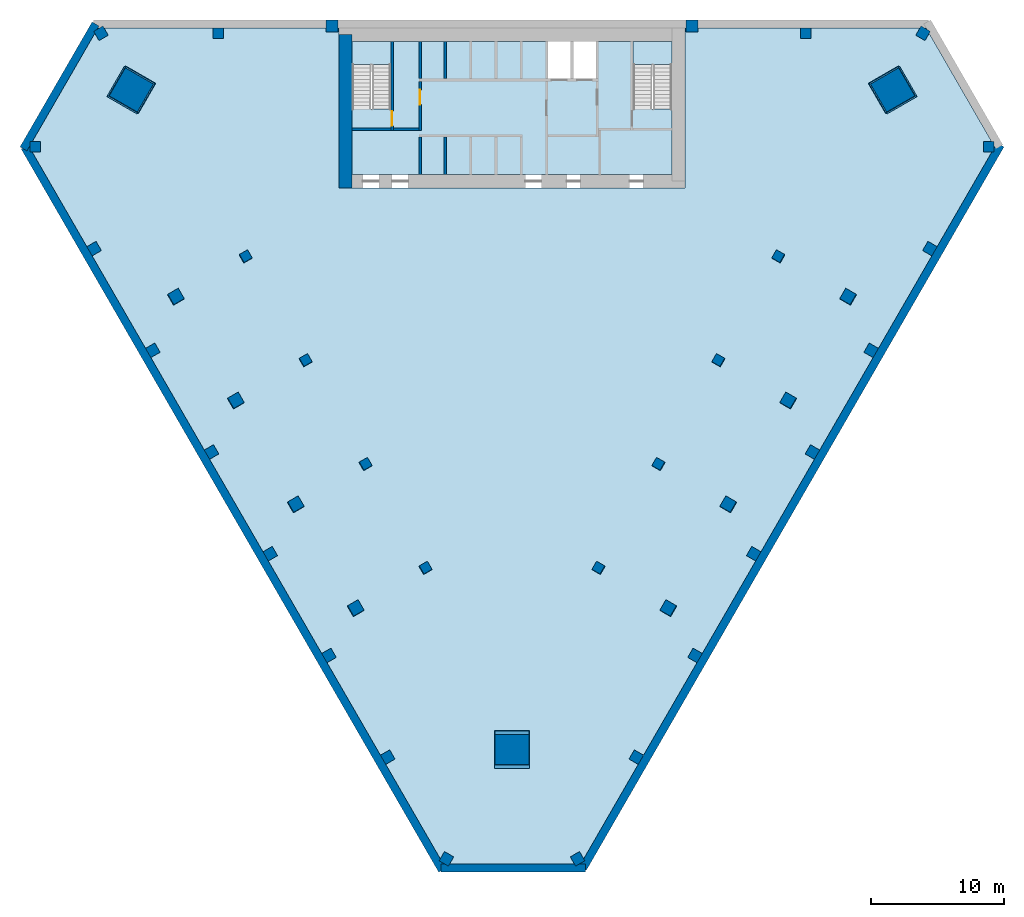
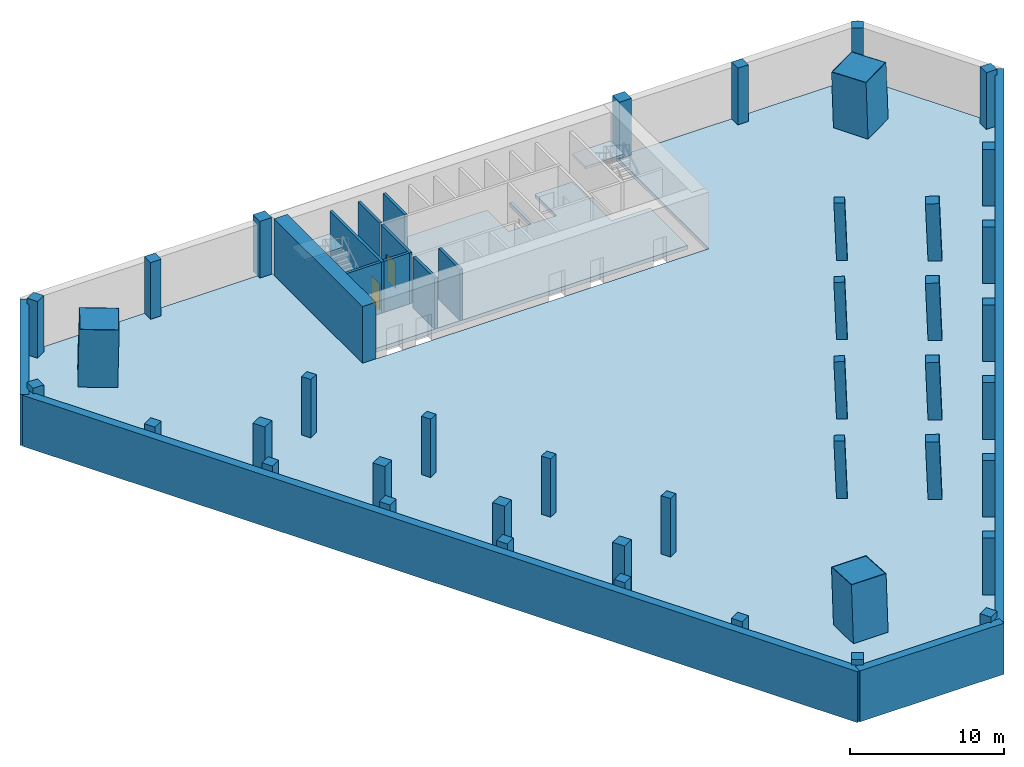
# One storey, part 1 of 3: 41 columns, 13 walls, 4 slabs, 3 members, 2 doors, 2 openings, 2 elements without a shape of their own.
"""IFC4 building model written with IfcOpenShell, lengths in metres."""

import ifcopenshell
import ifcopenshell.guid

model = None  # the IFC model being written
_history = None  # IfcOwnerHistory: only IFC2X3 demands one
_inside = {}  # id of a spatial element -> (the spatial element, [elements in it])
_under = {}  # id of a project, library or spatial element -> (it, [spatial elements below it])
_declared = {}  # id of a project -> (the project, [libraries it declares])
_typed = {}  # id of a type object -> (the type object, [elements of that type])
_made_of = {}  # id of a material, layer set ... -> (it, [elements and type objects made of it])


def new_model(schema):
    """Start an empty IFC model of exactly this schema.

    Asked for "IFC4X3", IfcOpenShell would pick the latest addendum, in which some entities
    have other attributes; the version numbers below select the first issue.
    IFC2X3 requires an IfcOwnerHistory on every rooted entity: one is made here for all.
    """
    global model, _history
    if schema == "IFC4X3":
        model = ifcopenshell.file(schema_version=(4, 3, 0, 0))
    else:
        model = ifcopenshell.file(schema=schema)
    _inside.clear()
    _under.clear()
    _declared.clear()
    _typed.clear()
    _made_of.clear()
    _history = None
    if model.schema == "IFC2X3":
        org = make("IfcOrganization", Name="unknown")
        user = make(
            "IfcPersonAndOrganization",
            ThePerson=make("IfcPerson", FamilyName="unknown"),
            TheOrganization=org,
        )
        app = make(
            "IfcApplication",
            ApplicationDeveloper=org,
            Version="unknown",
            ApplicationFullName="unknown",
            ApplicationIdentifier="unknown",
        )
        _history = make(
            "IfcOwnerHistory",
            OwningUser=user,
            OwningApplication=app,
            ChangeAction="ADDED",
            CreationDate=0,
        )
    return model


def make(cls, **values):
    """One entity of the class cls with the attributes given. An attribute that is None is left unset."""
    return model.create_entity(
        cls, **{name: value for name, value in values.items() if value is not None}
    )


def rooted(cls, **values):
    """An entity with a GlobalId (a new one), such as an element, a storey or a relation."""
    return make(cls, GlobalId=ifcopenshell.guid.new(), OwnerHistory=_history, **values)


def si_unit(unit_type, name, prefix=None):
    """IfcSIUnit, for example si_unit("LENGTHUNIT", "METRE", prefix="MILLI")."""
    return make("IfcSIUnit", UnitType=unit_type, Prefix=prefix, Name=name)


def assignment(units):
    """IfcUnitAssignment: the units of a project."""
    return None if units is None else make("IfcUnitAssignment", Units=units)


def point(xyz):
    """IfcCartesianPoint."""
    return None if xyz is None else make("IfcCartesianPoint", Coordinates=xyz)


def direction(xyz):
    """IfcDirection."""
    return None if xyz is None else make("IfcDirection", DirectionRatios=xyz)


def frame(location, z_axis=None, x_axis=None):
    """IfcAxis2Placement3D, a coordinate frame: its origin and axes. An axis left out is left unset."""
    return make(
        "IfcAxis2Placement3D",
        Location=point(location),
        Axis=direction(z_axis),
        RefDirection=direction(x_axis),
    )


def frame_2d(location, x_axis=None):
    """IfcAxis2Placement2D, a coordinate frame in the plane: its origin and x axis."""
    return make(
        "IfcAxis2Placement2D", Location=point(location), RefDirection=direction(x_axis)
    )


def origin():
    """The frame at (0, 0, 0) with its axes left unset."""
    return frame((0.0, 0.0, 0.0))


def origin_2d():
    """The frame at (0, 0) in the plane with its x axis left unset."""
    return frame_2d((0.0, 0.0))


def place(relative_to, where):
    """IfcLocalPlacement: puts the frame where relative to a parent placement (None: the world)."""
    return make(
        "IfcLocalPlacement", PlacementRelTo=relative_to, RelativePlacement=where
    )


def context(
    kind, dimensions, precision=None, world=None, true_north=None, identifier=None
):
    """IfcGeometricRepresentationContext, for example the 3D "Model" context."""
    return make(
        "IfcGeometricRepresentationContext",
        ContextIdentifier=identifier,
        ContextType=kind,
        CoordinateSpaceDimension=dimensions,
        Precision=precision,
        WorldCoordinateSystem=world,
        TrueNorth=true_north,
    )


def subcontext(parent, identifier, kind, view, scale=None):
    """IfcGeometricRepresentationSubContext, for example "Body" below "Model"."""
    return make(
        "IfcGeometricRepresentationSubContext",
        ContextIdentifier=identifier,
        ContextType=kind,
        ParentContext=parent,
        TargetScale=scale,
        TargetView=view,
    )


def project(units=None, contexts=None):
    """IfcProject with its units and contexts."""
    return rooted(
        "IfcProject",
        Name="project",
        RepresentationContexts=contexts,
        UnitsInContext=assignment(units),
    )


def spatial(cls, under=None, at=None, **own):
    """A site, building, storey or space (cls), placed at a placement, below another one or the project."""
    s = rooted(cls, ObjectPlacement=at, **own)
    if under is not None:
        _under.setdefault(under.id(), (under, []))[1].append(s)
    return s


def polyline(points):
    """IfcPolyline through the points."""
    return make("IfcPolyline", Points=[point(p) for p in points])


def profile(cls, at=None, kind="AREA", **sizes):
    """A parametric profile (cls). Its sizes go by their IFC names, for example OverallWidth=200.0."""
    return make(cls, ProfileType=kind, Position=at, **sizes)


def rectangle(**sizes):
    """IfcRectangleProfileDef."""
    return profile("IfcRectangleProfileDef", **sizes)


def hollow_rectangle(**sizes):
    """IfcRectangleHollowProfileDef."""
    return profile("IfcRectangleHollowProfileDef", **sizes)


def outline(outer, holes=None, kind="AREA"):
    """IfcArbitraryClosedProfileDef: a profile drawn as a closed curve; with holes, ...WithVoids."""
    if holes is None:
        return make("IfcArbitraryClosedProfileDef", ProfileType=kind, OuterCurve=outer)
    return make(
        "IfcArbitraryProfileDefWithVoids",
        ProfileType=kind,
        OuterCurve=outer,
        InnerCurves=holes,
    )


def extrude(swept, where, along, depth):
    """IfcExtrudedAreaSolid: the profile swept, set in the frame where, extruded along a direction by depth."""
    return make(
        "IfcExtrudedAreaSolid",
        SweptArea=swept,
        Position=where,
        ExtrudedDirection=direction(along),
        Depth=depth,
    )


def shape(context_of_items, identifier, shape_type, items):
    """IfcShapeRepresentation: the items that make up one representation, for example the "Body"."""
    return make(
        "IfcShapeRepresentation",
        ContextOfItems=context_of_items,
        RepresentationIdentifier=identifier,
        RepresentationType=shape_type,
        Items=items,
    )


def material(Name=None, Category=None):
    """IfcMaterial."""
    return make("IfcMaterial", Name=Name, Category=Category)


def layer(
    of_material, thickness, ventilated=None, Name=None, Category=None, Priority=None
):
    """IfcMaterialLayer: one layer of a wall or slab, of a material (None: an air gap)."""
    return make(
        "IfcMaterialLayer",
        Material=of_material,
        LayerThickness=thickness,
        IsVentilated=ventilated,
        Name=Name,
        Category=Category,
        Priority=Priority,
    )


def layer_set(layers, Name=None):
    """IfcMaterialLayerSet."""
    return make("IfcMaterialLayerSet", MaterialLayers=layers, LayerSetName=Name)


def material_profile(
    of_material, cross_section, Name=None, Category=None, Priority=None
):
    """IfcMaterialProfile: a cross section and its material."""
    return make(
        "IfcMaterialProfile",
        Name=Name,
        Material=of_material,
        Profile=cross_section,
        Priority=Priority,
        Category=Category,
    )


def profile_set(profiles, Name=None, composite=None):
    """IfcMaterialProfileSet."""
    return make(
        "IfcMaterialProfileSet",
        Name=Name,
        MaterialProfiles=profiles,
        CompositeProfile=composite,
    )


def made_of(thing, what):
    """Note that an element or type object is made of a material, layer set ...; save() writes the relation."""
    if what is not None:
        _made_of.setdefault(what.id(), (what, []))[1].append(thing)
    return thing


def type_object(cls, material=None, **own):
    """A type object (cls), such as IfcWallType, which elements share."""
    return made_of(rooted(cls, **own), material)


def element(
    cls,
    number,
    at=None,
    inside=None,
    cuts=None,
    type_object=None,
    material=None,
    context=None,
    identifier="Body",
    shape_type=None,
    held_by="IfcProductDefinitionShape",
    body=None,
    shapes=None,
    **own,
):
    """One element of the class cls, such as IfcWall. Its Tag is "e" and its number.

    at: its placement. inside: the storey or other place that contains it. cuts: it is an
    opening in that element (IfcRelVoidsElement). A single representation is given by context,
    identifier, shape_type and body (its items); several are given by shapes. held_by: the class
    of the entity that holds the representations. save() writes the other relations.
    """
    e = rooted(cls, Tag="e%d" % number, ObjectPlacement=at, **own)
    if body is not None:
        shapes = [shape(context, identifier, shape_type, body)]
    if shapes is not None:
        e.Representation = make(held_by, Representations=shapes)
    if inside is not None:
        _inside.setdefault(inside.id(), (inside, []))[1].append(e)
    if cuts is not None:
        rooted(
            "IfcRelVoidsElement", RelatingBuildingElement=cuts, RelatedOpeningElement=e
        )
    if type_object is not None:
        _typed.setdefault(type_object.id(), (type_object, []))[1].append(e)
    return made_of(e, material)


def fill(opening, filler):
    """IfcRelFillsElement: the door or window that sits in an opening."""
    return rooted(
        "IfcRelFillsElement",
        RelatingOpeningElement=opening,
        RelatedBuildingElement=filler,
    )


def aggregate(whole, parts):
    """IfcRelAggregates: a whole, such as a stair, and the parts it consists of."""
    return rooted("IfcRelAggregates", RelatingObject=whole, RelatedObjects=parts)


def save(model, path):
    """Write the relations noted so far, then the file.

    IfcRelAggregates (storeys below a building ...), IfcRelContainedInSpatialStructure (elements
    in a storey), IfcRelDefinesByType, IfcRelAssociatesMaterial and IfcRelDeclares: one each for
    every whole, place, type object, material and project.
    """
    for whole, parts in _under.values():
        aggregate(whole, parts)
    for where, things in _inside.values():
        rooted(
            "IfcRelContainedInSpatialStructure",
            RelatedElements=things,
            RelatingStructure=where,
        )
    for kind, things in _typed.values():
        rooted("IfcRelDefinesByType", RelatedObjects=things, RelatingType=kind)
    for what, things in _made_of.values():
        rooted("IfcRelAssociatesMaterial", RelatedObjects=things, RelatingMaterial=what)
    for by, libraries in _declared.values():
        rooted("IfcRelDeclares", RelatingContext=by, RelatedDefinitions=libraries)
    model.write(path)


model = new_model("IFC4")

# Units and contexts
model_context = context("Model", 3, precision=1e-05, world=origin(), true_north=direction((0.0, 1.0)))
body_context = subcontext(model_context, "Body", "Model", "MODEL_VIEW")
ifc_project = project(units=[si_unit("LENGTHUNIT", "METRE"), si_unit("AREAUNIT", "SQUARE_METRE"), si_unit("VOLUMEUNIT", "CUBIC_METRE"), si_unit("PLANEANGLEUNIT", "RADIAN"), si_unit("MASSUNIT", "GRAM", prefix="KILO")], contexts=[model_context])

# Site, building, storey
site_placement = place(None, origin())
site = spatial("IfcSite", under=ifc_project, at=site_placement, CompositionType="ELEMENT")
building_placement = place(site_placement, origin())
building = spatial("IfcBuilding", under=site, at=building_placement, Name="Altiplano Prism Tower", CompositionType="ELEMENT")
storey_placement = place(building_placement, frame((0.0, 0.0, -4.5)))
storey = spatial("IfcBuildingStorey", under=building, at=storey_placement, Name="B1", CompositionType="ELEMENT", Elevation=-4.5)

# Columns
ifc_material_1 = material(Name="Concrete C60/75", Category="concrete")
ifc_material_profile_1 = material_profile(ifc_material_1, rectangle(XDim=0.699951171875, YDim=0.699951171875, at=origin_2d()), Name="Inner column 700")
ifc_profile_set_1 = profile_set([ifc_material_profile_1], Name="Concrete C60/75")
column_type_1 = type_object("IfcColumnType", Name="Inner column 700", PredefinedType="COLUMN", material=ifc_profile_set_1)
for number, where, z_axis, x_axis, name in (
    (1, (64.9921875, 87.228271484375, -0.021240234375), (0.022221996839, 0.038427794534, 0.999014257888), (-0.865945385026, -0.498658904861, 0.03844329272), "Inner column I11 B1"),
    (2, (69.4921875, 79.43408203125, -0.021240234375), (0.022221996839, 0.038427794534, 0.999014257888), (-0.865946623326, -0.498656758727, 0.038443237712), "Inner column I12 B1"),
    (3, (73.9921875, 71.639892578125, -0.021240234375), (0.022221996839, 0.038427794534, 0.999014257888), (-0.865945385026, -0.498658904861, 0.03844329272), "Inner column I13 B1"),
    (4, (78.4921875, 63.845458984375, -0.021240234375), (0.022221950523, 0.03848191432, 0.999012175694), (-0.865641089157, -0.499183835908, 0.038483798288), "Inner column I14 B1"),
    (5, (91.5078125, 63.845458984375, -0.021240234375), (-0.022221950523, 0.03848191432, 0.999012175694), (-0.50017166021, -0.865641172911, 0.022218687721), "Inner column I21 B1"),
    (6, (96.0078125, 71.639892578125, -0.021240234375), (-0.022221996839, 0.038427794534, 0.999014257888), (-0.499644646733, -0.865946072923, 0.022195174726), "Inner column I22 B1"),
    (7, (100.5078125, 79.43408203125, -0.021240234375), (-0.022221996839, 0.038427794534, 0.999014257888), (-0.4996425006, -0.86594730878, 0.022195270002), "Inner column I23 B1"),
    (8, (105.0078125, 87.228271484375, -0.021240234375), (-0.022221996839, 0.038427794534, 0.999014257888), (-0.499644646733, -0.865946072923, 0.022195174726), "Inner column I24 B1"),
):
    element("IfcColumn", number, at=place(storey_placement, frame(where, z_axis=z_axis, x_axis=x_axis)), inside=storey, type_object=column_type_1, Name=name, PredefinedType="COLUMN", context=body_context, shape_type="SweptSolid", body=[
        extrude(rectangle(XDim=0.699951171875, YDim=0.699951171875, at=origin_2d()), origin(), (0.0, 0.0, 1.0), 4.50439453125),
    ])
ifc_material_2 = material(Name="Concrete C70/85", Category="concrete")
ifc_material_profile_2 = material_profile(ifc_material_2, rectangle(XDim=2.52001953125, YDim=2.52001953125, at=origin_2d()), Name="Mega column infill 2600")
ifc_profile_set_2 = profile_set([ifc_material_profile_2], Name="Concrete C70/85")
column_type_2 = type_object("IfcColumnType", Name="Mega column infill 2600", PredefinedType="COLUMN", material=ifc_profile_set_2)
column_1_placement = place(storey_placement, frame((56.358154296875, 99.728271484375, 0.0), z_axis=(0.028361930921, 0.009273212596, 0.999554705057), x_axis=(-0.866199484876, 0.499300125424, 0.019945855531)))
element("IfcColumn", 9, at=column_1_placement, inside=storey, type_object=column_type_2, Name="Mega column M0 B1", PredefinedType="COLUMN", context=body_context, shape_type="SweptSolid", body=[
    extrude(rectangle(XDim=2.52001953125, YDim=2.52001953125, at=origin_2d()), origin(), (0.0, 0.0, 1.0), 4.501953125),
])
column_2_placement = place(storey_placement, frame((85.0, 50.118896484375, 0.0), z_axis=(0.0, 0.058385473851, 0.998294113197), x_axis=(-1.0, 0.0, 0.0)))
element("IfcColumn", 10, at=column_2_placement, inside=storey, type_object=column_type_2, Name="Mega column M1 B1", PredefinedType="COLUMN", context=body_context, shape_type="SweptSolid", body=[
    extrude(rectangle(XDim=2.52001953125, YDim=2.52001953125, at=origin_2d()), origin(), (0.0, 0.0, 1.0), 4.507568359375),
])
column_3_placement = place(storey_placement, frame((113.641845703125, 99.728271484375, 0.0), z_axis=(-0.028361930921, 0.009273212596, 0.999554705057), x_axis=(0.498892827445, -0.866379473602, 0.02219356764)))
element("IfcColumn", 11, at=column_3_placement, inside=storey, type_object=column_type_2, Name="Mega column M2 B1", PredefinedType="COLUMN", context=body_context, shape_type="SweptSolid", body=[
    extrude(rectangle(XDim=2.52001953125, YDim=2.52001953125, at=origin_2d()), origin(), (0.0, 0.0, 1.0), 4.501953125),
])
ifc_material_profile_3 = material_profile(ifc_material_1, rectangle(XDim=0.89990234375, YDim=0.89990234375, at=origin_2d()), Name="Perimeter column 900")
ifc_profile_set_3 = profile_set([ifc_material_profile_3], Name="Concrete C60/75")
column_type_3 = type_object("IfcColumnType", Name="Perimeter column 900", PredefinedType="COLUMN", material=ifc_profile_set_3)
for number, where, z_axis, x_axis, name in (
    (12, (98.5, 104.550048828125, 0.0), (0.0, 0.0, 1.0), (1.0, 0.0, 0.0), "Perimeter column P01 B1"),
    (13, (71.5, 104.550048828125, 0.0), (0.0, 0.0, 1.0), (1.0, 0.0, 0.0), "Perimeter column P04 B1"),
):
    element("IfcColumn", number, at=place(storey_placement, frame(where, z_axis=z_axis, x_axis=x_axis)), inside=storey, type_object=column_type_3, Name=name, PredefinedType="COLUMN", context=body_context, shape_type="SweptSolid", body=[
        extrude(rectangle(XDim=0.89990234375, YDim=0.89990234375, at=origin_2d()), origin(), (0.0, 0.0, 1.0), 4.5),
    ])
for number, where, z_axis, x_axis, name in (
    (14, (59.752685546875, 84.203125, -0.02734375), (0.022167823514, 0.038427840761, 0.999015459668), (-0.865418036525, -0.499575355906, 0.038419862428), "Perimeter column P11 B1"),
    (15, (64.252685546875, 76.40869140625, -0.02734375), (0.02216777731, 0.038481960612, 0.999013377466), (-0.865113549142, -0.500099335369, 0.038460393322), "Perimeter column P12 B1"),
    (16, (68.752685546875, 68.614501953125, -0.02734375), (0.02216777731, 0.038481960612, 0.999013377466), (-0.86511231601, -0.500101464336, 0.038460447967), "Perimeter column P13 B1"),
    (17, (73.252685546875, 60.8203125, -0.02734375), (0.022167823514, 0.038427840761, 0.999015459668), (-0.865419268357, -0.499573226186, 0.038419807841), "Perimeter column P14 B1"),
    (18, (96.747314453125, 60.8203125, -0.02734375), (-0.022167823514, 0.038427840761, 0.999015459668), (-0.500557766453, -0.865418911703, 0.022181742726), "Perimeter column P21 B1"),
    (19, (101.247314453125, 68.614501953125, -0.02734375), (-0.02216777731, 0.038481960612, 0.999013377466), (-0.501088086406, -0.86511135935, 0.022205080176), "Perimeter column P22 B1"),
    (20, (105.747314453125, 76.40869140625, -0.02734375), (-0.02216777731, 0.038481960612, 0.999013377466), (-0.501085957437, -0.865112590054, 0.022205174824), "Perimeter column P23 B1"),
    (21, (110.247314453125, 84.203125, -0.02734375), (-0.022167823514, 0.038427840761, 0.999015459668), (-0.500559896174, -0.865417682293, 0.022181648178), "Perimeter column P24 B1"),
):
    element("IfcColumn", number, at=place(storey_placement, frame(where, z_axis=z_axis, x_axis=x_axis)), inside=storey, type_object=column_type_3, Name=name, PredefinedType="COLUMN", context=body_context, shape_type="SweptSolid", body=[
        extrude(rectangle(XDim=0.89990234375, YDim=0.89990234375, at=origin_2d()), origin(), (0.0, 0.0, 1.0), 4.50439453125),
    ])
ifc_material_profile_4 = material_profile(ifc_material_1, rectangle(XDim=0.800048828125, YDim=0.800048828125, at=origin_2d()), Name="Podium column 800")
ifc_profile_set_4 = profile_set([ifc_material_profile_4], Name="Concrete C60/75")
column_type_4 = type_object("IfcColumnType", Name="Podium column 800", PredefinedType="COLUMN", material=ifc_profile_set_4)
for number, where, z_axis, x_axis, name in (
    (22, (115.85791015625, 104.0, 0.0), (0.0, 0.0, 1.0), (0.500000015115, 0.866025395058, 0.0), "PC Q01 B1"),
    (23, (107.041259765625, 104.0, 0.0), (0.0, 0.0, 1.0), (1.0, 0.0, 0.0), "PC Q02 B1"),
    (24, (62.958740234375, 104.0, 0.0), (0.0, 0.0, 1.0), (1.0, 0.0, 0.0), "PC Q07 B1"),
    (25, (54.14208984375, 104.0, 0.0), (0.0, 0.0, 1.0), (0.866025395058, 0.500000015115, 0.0), "PC Q08 B1"),
    (26, (49.219482421875, 95.4736328125, 0.0), (0.0, 0.0, 1.0), (1.0, 1.7453e-08, 0.0), "PC Q09 B1"),
    (27, (53.627685546875, 87.83837890625, 0.0), (0.0, 0.0, 1.0), (0.866025412511, 0.499999984885, 0.0), "PC Q10 B1"),
    (28, (58.035888671875, 80.203125, 0.0), (0.0, 0.0, 1.0), (0.866025412511, 0.499999984885, 0.0), "PC Q11 B1"),
    (29, (62.4443359375, 72.567626953125, 0.0), (0.0, 0.0, 1.0), (0.866025412511, 0.499999984885, 0.0), "PC Q12 B1"),
    (30, (66.8525390625, 64.932373046875, 0.0), (0.0, 0.0, 1.0), (0.866025412511, 0.499999984885, 0.0), "PC Q13 B1"),
    (31, (71.2607421875, 57.296875, 0.0), (0.0, 0.0, 1.0), (0.866025412511, 0.499999984885, 0.0), "PC Q14 B1"),
    (32, (75.669189453125, 49.66162109375, 0.0), (0.0, 0.0, 1.0), (0.866025412511, 0.499999984885, 0.0), "PC Q15 B1"),
    (33, (80.077392578125, 42.0263671875, 0.0), (0.0, 0.0, 1.0), (0.5, 0.866025403784, 0.0), "PC Q16 B1"),
    (34, (89.922607421875, 42.0263671875, 0.0), (0.0, 0.0, 1.0), (0.866025403784, 0.5, 0.0), "PC Q17 B1"),
    (35, (94.330810546875, 49.66162109375, 0.0), (0.0, 0.0, 1.0), (0.499999984885, 0.866025412511, 0.0), "PC Q18 B1"),
    (36, (98.7392578125, 57.296875, 0.0), (0.0, 0.0, 1.0), (0.499999984885, 0.866025412511, 0.0), "PC Q19 B1"),
    (37, (103.1474609375, 64.932373046875, 0.0), (0.0, 0.0, 1.0), (0.499999984885, 0.866025412511, 0.0), "PC Q20 B1"),
    (38, (107.5556640625, 72.567626953125, 0.0), (0.0, 0.0, 1.0), (0.499999984885, 0.866025412511, 0.0), "PC Q21 B1"),
    (39, (111.964111328125, 80.203125, 0.0), (0.0, 0.0, 1.0), (0.499999984885, 0.866025412511, 0.0), "PC Q22 B1"),
    (40, (116.372314453125, 87.83837890625, 0.0), (0.0, 0.0, 1.0), (0.499999984885, 0.866025412511, 0.0), "PC Q23 B1"),
    (41, (120.780517578125, 95.4736328125, 0.0), (0.0, 0.0, 1.0), (1.7453e-08, 1.0, 0.0), "PC Q24 B1"),
):
    element("IfcColumn", number, at=place(storey_placement, frame(where, z_axis=z_axis, x_axis=x_axis)), inside=storey, type_object=column_type_4, Name=name, PredefinedType="COLUMN", context=body_context, shape_type="SweptSolid", body=[
        extrude(rectangle(XDim=0.800048828125, YDim=0.800048828125, at=origin_2d()), origin(), (0.0, 0.0, 1.0), 4.5),
    ])

# Members
ifc_material_3 = material(Name="Steel S460", Category="steel")
ifc_material_profile_5 = material_profile(ifc_material_3, hollow_rectangle(XDim=2.60009765625, YDim=2.60009765625, WallThickness=0.0400390625, at=origin_2d()), Name="Mega column tube 2600")
ifc_profile_set_5 = profile_set([ifc_material_profile_5], Name="Steel S460")
member_type = type_object("IfcMemberType", Name="Mega column tube 2600", PredefinedType="POST", material=ifc_profile_set_5)
member_1_placement = place(storey_placement, frame((56.358154296875, 99.728271484375, 0.0), z_axis=(0.028361930921, 0.009273212596, 0.999554705057), x_axis=(-0.866199484876, 0.499300125424, 0.019945855531)))
element("IfcMember", 42, at=member_1_placement, inside=storey, type_object=member_type, Name="Mega column tube M0 B1", PredefinedType="POST", context=body_context, shape_type="SweptSolid", body=[
    extrude(hollow_rectangle(XDim=2.60009765625, YDim=2.60009765625, WallThickness=0.0400390625, at=origin_2d()), origin(), (0.0, 0.0, 1.0), 4.501953125),
])
member_2_placement = place(storey_placement, frame((85.0, 50.118896484375, 0.0), z_axis=(0.0, 0.058385473851, 0.998294113197), x_axis=(-1.0, 0.0, 0.0)))
element("IfcMember", 43, at=member_2_placement, inside=storey, type_object=member_type, Name="Mega column tube M1 B1", PredefinedType="POST", context=body_context, shape_type="SweptSolid", body=[
    extrude(hollow_rectangle(XDim=2.60009765625, YDim=2.60009765625, WallThickness=0.0400390625, at=origin_2d()), origin(), (0.0, 0.0, 1.0), 4.507568359375),
])
member_3_placement = place(storey_placement, frame((113.641845703125, 99.728271484375, 0.0), z_axis=(-0.028361930921, 0.009273212596, 0.999554705057), x_axis=(0.498892827445, -0.866379473602, 0.02219356764)))
element("IfcMember", 44, at=member_3_placement, inside=storey, type_object=member_type, Name="Mega column tube M2 B1", PredefinedType="POST", context=body_context, shape_type="SweptSolid", body=[
    extrude(hollow_rectangle(XDim=2.60009765625, YDim=2.60009765625, WallThickness=0.0400390625, at=origin_2d()), origin(), (0.0, 0.0, 1.0), 4.501953125),
])

# Slabs
ifc_material_4 = material(Name="Concrete C40/50", Category="concrete")
ifc_layer_1 = layer(ifc_material_4, 0.300048828125)
ifc_layer_set_1 = layer_set([ifc_layer_1], Name="Concrete C40/50")
slab_type_1 = type_object("IfcSlabType", Name="Basement floor slab 300", PredefinedType="FLOOR", material=ifc_layer_set_1)
slab_1_placement = place(storey_placement, frame((0.0, 0.0, -0.300048828125)))
element("IfcSlab", 45, at=slab_1_placement, inside=storey, type_object=slab_type_1, Name="Floor slab B1", PredefinedType="FLOOR", context=body_context, shape_type="SweptSolid", body=[
    extrude(outline(polyline([(116.0888671875, 104.39990234375), (121.242431640625, 95.4736328125), (90.153564453125, 41.626220703125), (79.846435546875, 41.626220703125), (48.757568359375, 95.4736328125), (53.9111328125, 104.39990234375), (72.0, 104.39990234375), (72.0, 92.39990234375), (98.0, 92.39990234375), (98.0, 104.39990234375), (116.0888671875, 104.39990234375)])), origin(), (0.0, 0.0, 1.0), 0.300048828125),
])
ifc_layer_2 = layer(ifc_material_4, 0.300048828125)
ifc_layer_set_2 = layer_set([ifc_layer_2], Name="Concrete C40/50")
slab_type_2 = type_object("IfcSlabType", Name="Core floor slab 300", PredefinedType="FLOOR", material=ifc_layer_set_2)
slab_2_placement = place(storey_placement, frame((0.0, 0.0, -0.300048828125)))
element("IfcSlab", 46, at=slab_2_placement, inside=storey, type_object=slab_type_2, Name="Core floor slab B1", PredefinedType="FLOOR", context=body_context, shape_type="SweptSolid", body=[
    extrude(outline(polyline([(97.0, 98.31005859375), (94.10009765625, 98.31005859375), (94.10009765625, 103.39990234375), (91.300048828125, 103.39990234375), (91.300048828125, 100.60009765625), (89.60009765625, 100.60009765625), (89.60009765625, 103.39990234375), (89.39990234375, 103.39990234375), (89.39990234375, 100.60009765625), (87.699951171875, 100.60009765625), (87.699951171875, 103.39990234375), (75.89990234375, 103.39990234375), (75.89990234375, 98.31005859375), (73.0, 98.31005859375), (73.0, 93.39990234375), (97.0, 93.39990234375), (97.0, 98.31005859375)])), origin(), (0.0, 0.0, 1.0), 0.300048828125),
])

# Stair, slab
stair_type = type_object("IfcStairType", Name="Exit stair 1400", PredefinedType="HALF_TURN_STAIR", material=ifc_material_4)
stair_1_placement = place(storey_placement, origin())
stair_1 = element("IfcStair", 47, at=stair_1_placement, inside=storey, type_object=stair_type, Name="B1 Exit Stair 1", PredefinedType="HALF_TURN_STAIR")
ifc_layer_3 = layer(ifc_material_4, 0.199951171875)
ifc_layer_set_3 = layer_set([ifc_layer_3], Name="Concrete C40/50")
slab_type_3 = type_object("IfcSlabType", Name="Stair landing 200", PredefinedType="LANDING", material=ifc_layer_set_3)
slab_3_placement = place(storey_placement, frame((0.0, 0.0, 2.050048828125)))
slab_3 = element("IfcSlab", 48, at=slab_3_placement, type_object=slab_type_3, Name="ST1 landing 1", PredefinedType="LANDING", context=body_context, shape_type="SweptSolid", body=[
    extrude(outline(polyline([(75.89990234375, 101.656982421875), (75.89990234375, 103.39990234375), (73.0, 103.39990234375), (73.0, 101.656982421875), (75.89990234375, 101.656982421875)])), origin(), (0.0, 0.0, 1.0), 0.199951171875),
])
aggregate(stair_1, [slab_3])

stair_2_placement = place(storey_placement, origin())
stair_2 = element("IfcStair", 49, at=stair_2_placement, inside=storey, type_object=stair_type, Name="B1 Exit Stair 2", PredefinedType="HALF_TURN_STAIR")
slab_4_placement = place(storey_placement, frame((0.0, 0.0, 2.050048828125)))
slab_4 = element("IfcSlab", 50, at=slab_4_placement, type_object=slab_type_3, Name="ST2 landing 1", PredefinedType="LANDING", context=body_context, shape_type="SweptSolid", body=[
    extrude(outline(polyline([(97.0, 101.656982421875), (97.0, 103.39990234375), (94.10009765625, 103.39990234375), (94.10009765625, 101.656982421875), (97.0, 101.656982421875)])), origin(), (0.0, 0.0, 1.0), 0.199951171875),
])
aggregate(stair_2, [slab_4])

# Walls
ifc_layer_4 = layer(ifc_material_2, 1.0)
ifc_layer_set_4 = layer_set([ifc_layer_4], Name="Concrete C70/85")
wall_type_1 = type_object("IfcWallType", Name="Core wall 1000", PredefinedType="SHEAR", material=ifc_layer_set_4)
wall_1_placement = place(storey_placement, frame((72.5, 103.89990234375, 0.0), z_axis=(0.0, 0.0, 1.0), x_axis=(0.0, -1.0, 0.0)))
element("IfcWall", 51, at=wall_1_placement, inside=storey, type_object=wall_type_1, Name="Core wall W B1", PredefinedType="SHEAR", context=body_context, shape_type="SweptSolid", body=[
    extrude(rectangle(XDim=11.5, YDim=1.0, at=frame_2d((5.75, 0.0))), origin(), (0.0, 0.0, 1.0), 4.5),
])
ifc_layer_5 = layer(ifc_material_4, 0.60009765625)
ifc_layer_set_5 = layer_set([ifc_layer_5], Name="Concrete C40/50")
wall_type_2 = type_object("IfcWallType", Name="Retaining wall 600", PredefinedType="SOLIDWALL", material=ifc_layer_set_5)
wall_2_placement = place(storey_placement, frame((53.738037109375, 104.699951171875, 0.0), z_axis=(0.0, 0.0, 1.0), x_axis=(-0.500014593659, -0.866016977968, 0.0)))
element("IfcWall", 52, at=wall_2_placement, inside=storey, type_object=wall_type_2, Name="Retaining wall B1 2", PredefinedType="SOLIDWALL", context=body_context, shape_type="SweptSolid", body=[
    extrude(rectangle(XDim=10.826904296875, YDim=0.60009765625, at=frame_2d((5.41357421875, 0.0))), origin(), (0.0, 0.0, 1.0), 4.050048828125),
])
wall_3_placement = place(storey_placement, frame((48.4111328125, 95.4736328125, 0.0), z_axis=(0.0, 0.0, 1.0), x_axis=(0.500000424729, -0.866025158567, 0.0)))
element("IfcWall", 53, at=wall_3_placement, inside=storey, type_object=wall_type_2, Name="Retaining wall B1 3", PredefinedType="SOLIDWALL", context=body_context, shape_type="SweptSolid", body=[
    extrude(rectangle(XDim=62.697265625, YDim=0.60009765625, at=frame_2d((31.3486328125, 0.0))), origin(), (0.0, 0.0, 1.0), 4.050048828125),
])
wall_4_placement = place(storey_placement, frame((79.673095703125, 41.326171875, 0.0), z_axis=(0.0, 0.0, 1.0), x_axis=(1.0, 0.0, 0.0)))
element("IfcWall", 54, at=wall_4_placement, inside=storey, type_object=wall_type_2, Name="Retaining wall B1 4", PredefinedType="SOLIDWALL", context=body_context, shape_type="SweptSolid", body=[
    extrude(rectangle(XDim=10.826904296875, YDim=0.60009765625, at=frame_2d((5.41357421875, 0.0))), origin(), (0.0, 0.0, 1.0), 4.050048828125),
])
wall_5_placement = place(storey_placement, frame((90.326904296875, 41.326171875, 0.0), z_axis=(0.0, 0.0, 1.0), x_axis=(0.499998738597, 0.866026132054, 0.0)))
element("IfcWall", 55, at=wall_5_placement, inside=storey, type_object=wall_type_2, Name="Retaining wall B1 5", PredefinedType="SOLIDWALL", context=body_context, shape_type="SweptSolid", body=[
    extrude(rectangle(XDim=62.697509765625, YDim=0.60009765625, at=frame_2d((31.3486328125, 0.0))), origin(), (0.0, 0.0, 1.0), 4.050048828125),
])
ifc_layer_6 = layer(ifc_material_1, 0.199951171875)
ifc_layer_set_6 = layer_set([ifc_layer_6], Name="Concrete C60/75")
wall_type_3 = type_object("IfcWallType", Name="Shaft wall 200", PredefinedType="SOLIDWALL", material=ifc_layer_set_6)
for number, where, z_axis, x_axis, name in (
    (56, (78.10009765625, 93.39990234375, 0.0), (0.0, 0.0, 1.0), (0.0, 1.0, 0.0), "Shaft wall B1"),
    (57, (80.0, 93.39990234375, 0.0), (0.0, 0.0, 1.0), (0.0, 1.0, 0.0), "Shaft wall B1"),
):
    element("IfcWall", number, at=place(storey_placement, frame(where, z_axis=z_axis, x_axis=x_axis)), inside=storey, type_object=wall_type_3, Name=name, PredefinedType="SOLIDWALL", context=body_context, shape_type="SweptSolid", body=[
        extrude(rectangle(XDim=2.800048828125, YDim=0.199951171875, at=frame_2d((1.39990234375, 0.0))), origin(), (0.0, 0.0, 1.0), 4.050048828125),
    ])
for number, where, z_axis, x_axis, name in (
    (58, (78.10009765625, 100.60009765625, 0.0), (0.0, 0.0, 1.0), (0.0, 1.0, 0.0), "Shaft wall B1"),
    (59, (80.0, 100.60009765625, 0.0), (0.0, 0.0, 1.0), (0.0, 1.0, 0.0), "Shaft wall B1"),
):
    element("IfcWall", number, at=place(storey_placement, frame(where, z_axis=z_axis, x_axis=x_axis)), inside=storey, type_object=wall_type_3, Name=name, PredefinedType="SOLIDWALL", context=body_context, shape_type="SweptSolid", body=[
        extrude(rectangle(XDim=2.7998046875, YDim=0.199951171875, at=frame_2d((1.39990234375, 0.0))), origin(), (0.0, 0.0, 1.0), 4.050048828125),
    ])
ifc_layer_7 = layer(ifc_material_1, 0.199951171875)
ifc_layer_set_7 = layer_set([ifc_layer_7], Name="Concrete C60/75")
wall_type_4 = type_object("IfcWallType", Name="Stair wall 200", PredefinedType="SOLIDWALL", material=ifc_layer_set_7)
wall_6_placement = place(storey_placement, frame((73.0, 96.800048828125, 0.0), z_axis=(0.0, 0.0, 1.0), x_axis=(1.0, 0.0, 0.0)))
element("IfcWall", 60, at=wall_6_placement, inside=storey, type_object=wall_type_4, Name="Stair wall B1", PredefinedType="SOLIDWALL", context=body_context, shape_type="SweptSolid", body=[
    extrude(rectangle(XDim=2.89990234375, YDim=0.199951171875, at=frame_2d((1.449951171875, 0.0))), origin(), (0.0, 0.0, 1.0), 4.050048828125),
])

# Wall, opening, door
wall_7_placement = place(storey_placement, frame((76.0, 96.699951171875, 0.0), z_axis=(0.0, 0.0, 1.0), x_axis=(0.0, 1.0, 0.0)))
wall_7 = element("IfcWall", 61, at=wall_7_placement, inside=storey, type_object=wall_type_4, Name="Stair wall B1", PredefinedType="SOLIDWALL", context=body_context, shape_type="SweptSolid", body=[
    extrude(rectangle(XDim=6.699951171875, YDim=0.199951171875, at=frame_2d((3.35009765625, 0.0))), origin(), (0.0, 0.0, 1.0), 4.050048828125),
])
opening_1_placement = place(wall_7_placement, frame((0.35009765625, 0.0, 0.0)))
opening_1 = element("IfcOpeningElement", 62, at=opening_1_placement, cuts=wall_7, Name="Opening D2579", PredefinedType="OPENING", context=body_context, shape_type="SweptSolid", body=[
    extrude(rectangle(XDim=1.10009765625, YDim=2.10009765625, at=frame_2d((0.550048828125, 1.050048828125))), frame((0.0, 0.1103515625, 0.0), z_axis=(0.0, -1.0, 0.0), x_axis=(1.0, 0.0, 0.0)), (0.0, 0.0, 1.0), 0.220947265625),
])
ifc_material_5 = material(Name="Fire-rated steel door", Category="steel")
door_type_1 = type_object("IfcDoorType", Name="Stair fire door 1100 x 2100", OperationType="NOTDEFINED", PredefinedType="NOTDEFINED", material=ifc_material_5)
door_1_placement = place(opening_1_placement, origin())
door_1 = element("IfcDoor", 63, at=door_1_placement, inside=storey, type_object=door_type_1, Name="Stair fire door D2579", OperationType="SINGLE_SWING_RIGHT", OverallHeight=2.10009765625, OverallWidth=1.10009765625, PredefinedType="NOTDEFINED", context=body_context, shape_type="SweptSolid", body=[
    extrude(rectangle(XDim=1.10009765625, YDim=2.10009765625, at=frame_2d((0.550048828125, 1.050048828125))), frame((0.0, 0.02490234375, 0.0), z_axis=(0.0, -1.0, 0.0), x_axis=(1.0, 0.0, 0.0)), (0.0, 0.0, 1.0), 0.050048828125),
])
fill(opening_1, door_1)

# Wall
ifc_layer_8 = layer(ifc_material_1, 0.199951171875)
ifc_layer_set_8 = layer_set([ifc_layer_8], Name="Concrete C60/75")
wall_type_5 = type_object("IfcWallType", Name="Vestibule wall 200", PredefinedType="PARTITIONING", material=ifc_layer_set_8)
wall_8_placement = place(storey_placement, frame((76.10009765625, 96.800048828125, 0.0), z_axis=(0.0, 0.0, 1.0), x_axis=(1.0, 0.0, 0.0)))
element("IfcWall", 64, at=wall_8_placement, inside=storey, type_object=wall_type_5, Name="Vestibule wall B1", PredefinedType="PARTITIONING", context=body_context, shape_type="SweptSolid", body=[
    extrude(rectangle(XDim=1.89990234375, YDim=0.199951171875, at=frame_2d((0.949951171875, 0.0))), origin(), (0.0, 0.0, 1.0), 4.050048828125),
])

# Wall, opening, door
wall_9_placement = place(storey_placement, frame((78.10009765625, 96.699951171875, 0.0), z_axis=(0.0, 0.0, 1.0), x_axis=(0.0, 1.0, 0.0)))
wall_9 = element("IfcWall", 65, at=wall_9_placement, inside=storey, type_object=wall_type_5, Name="Vestibule wall B1", PredefinedType="PARTITIONING", context=body_context, shape_type="SweptSolid", body=[
    extrude(rectangle(XDim=3.699951171875, YDim=0.199951171875, at=frame_2d((1.85009765625, 0.0))), origin(), (0.0, 0.0, 1.0), 4.050048828125),
])
opening_2_placement = place(wall_9_placement, frame((1.949951171875, 0.0, 0.0)))
opening_2 = element("IfcOpeningElement", 66, at=opening_2_placement, cuts=wall_9, Name="Opening D2581", PredefinedType="OPENING", context=body_context, shape_type="SweptSolid", body=[
    extrude(rectangle(XDim=1.10009765625, YDim=2.10009765625, at=frame_2d((0.550048828125, 1.050048828125))), frame((0.0, 0.1103515625, 0.0), z_axis=(0.0, -1.0, 0.0), x_axis=(1.0, 0.0, 0.0)), (0.0, 0.0, 1.0), 0.220947265625),
])
door_type_2 = type_object("IfcDoorType", Name="Vestibule fire door 1100 x 2100", OperationType="NOTDEFINED", PredefinedType="NOTDEFINED", material=ifc_material_5)
door_2_placement = place(opening_2_placement, origin())
door_2 = element("IfcDoor", 67, at=door_2_placement, inside=storey, type_object=door_type_2, Name="Vestibule fire door D2581", OperationType="SINGLE_SWING_LEFT", OverallHeight=2.10009765625, OverallWidth=1.10009765625, PredefinedType="NOTDEFINED", context=body_context, shape_type="SweptSolid", body=[
    extrude(rectangle(XDim=1.10009765625, YDim=2.10009765625, at=frame_2d((0.550048828125, 1.050048828125))), frame((0.0, 0.02490234375, 0.0), z_axis=(0.0, -1.0, 0.0), x_axis=(1.0, 0.0, 0.0)), (0.0, 0.0, 1.0), 0.050048828125),
])
fill(opening_2, door_2)

save(model, "model.ifc")
